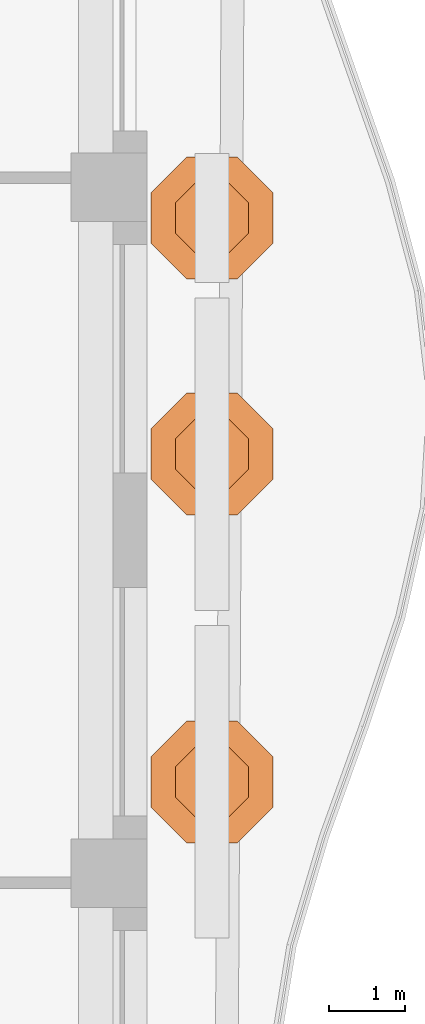
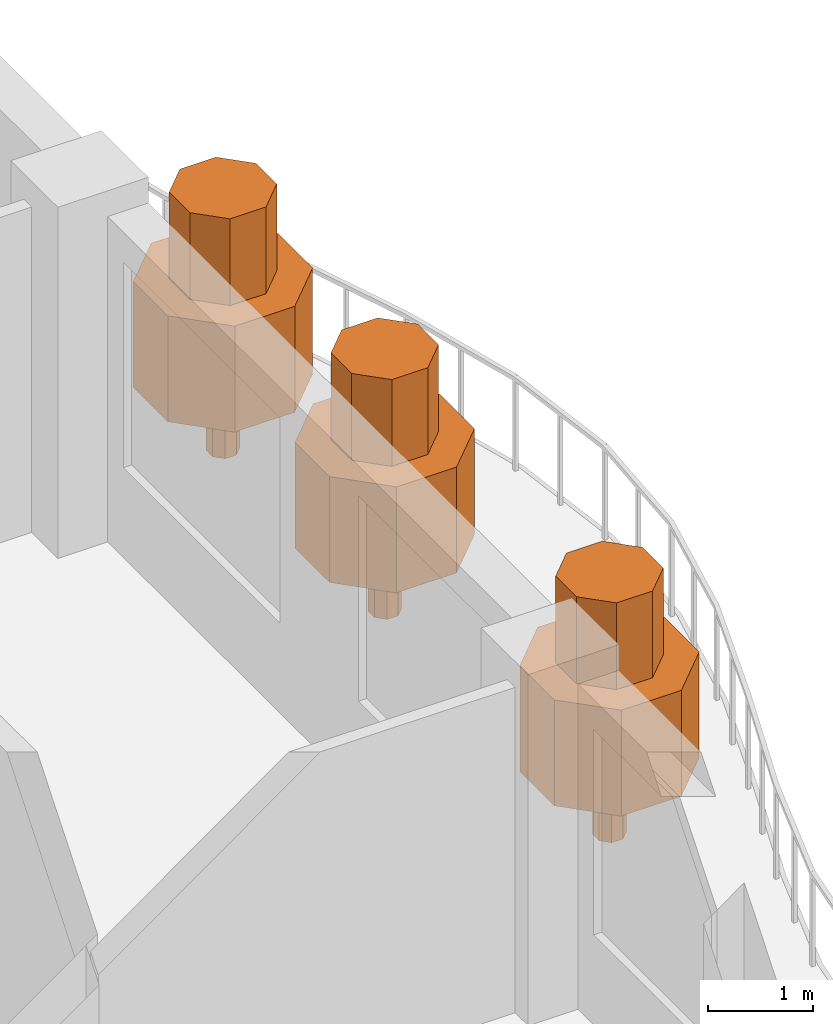
# One storey, part 14 of 14: 3 geographic elements.
"""IFC4 building model written with IfcOpenShell, lengths in metres."""

from ifc_helpers import new_model, si_unit, direction, frame, origin, place, context, subcontext, project, spatial, polyline, outline, extrude, material, type_object, element, save


model = new_model("IFC4")

# Units and contexts
model_context = context("Model", 3, precision=1e-05, world=origin(), true_north=direction((0.0, 1.0)))
body_context = subcontext(model_context, "Body", "Model", "MODEL_VIEW")
ifc_project = project(units=[si_unit("LENGTHUNIT", "METRE"), si_unit("AREAUNIT", "SQUARE_METRE"), si_unit("VOLUMEUNIT", "CUBIC_METRE"), si_unit("PLANEANGLEUNIT", "RADIAN"), si_unit("MASSUNIT", "GRAM", prefix="KILO")], contexts=[model_context])

# Site, building, storey
site_placement = place(None, origin())
site = spatial("IfcSite", under=ifc_project, at=site_placement, CompositionType="ELEMENT")
building_placement = place(site_placement, origin())
building = spatial("IfcBuilding", under=site, at=building_placement, Name="Cypress Arch Tower", CompositionType="ELEMENT")
storey_placement = place(building_placement, frame((0.0, 0.0, 280.300048828125)))
storey = spatial("IfcBuildingStorey", under=building, at=storey_placement, Name="L63", CompositionType="ELEMENT", Elevation=280.300048828125)

# Geographic elements
ifc_material = material(Name="Foliage and planting")
geographic_element_type = type_object("IfcGeographicElementType", Name="Balcony tree TR", PredefinedType="USERDEFINED", material=ifc_material)
for number, where, z_axis, x_axis, name in (
    (1, (25.60009765625, -3.300048828125, 0.599853515625), (0.0, 0.0, 1.0), (1.0, 0.0, 0.0), "Balcony tree L63-C17.1"),
    (2, (25.60009765625, 1.0, 0.599853515625), (0.0, 0.0, 1.0), (1.0, 0.0, 0.0), "Balcony tree L63-C17.2"),
    (3, (25.60009765625, 4.095703125, 0.599853515625), (0.0, 0.0, 1.0), (1.0, 0.0, 0.0), "Balcony tree L63-C17.3"),
):
    element("IfcGeographicElement", number, at=place(storey_placement, frame(where, z_axis=z_axis, x_axis=x_axis)), inside=storey, type_object=geographic_element_type, Name=name, ObjectType="TREE", PredefinedType="USERDEFINED", context=body_context, shape_type="SweptSolid", body=[
        extrude(outline(polyline([(0.14990234375, 0.06201171875), (0.06201171875, 0.14990234375), (-0.06201171875, 0.14990234375), (-0.14990234375, 0.06201171875), (-0.14990234375, -0.06201171875), (-0.06201171875, -0.14990234375), (0.06201171875, -0.14990234375), (0.14990234375, -0.06201171875), (0.14990234375, 0.06201171875)])), origin(), (0.0, 0.0, 1.0), 0.89990234375),
        extrude(outline(polyline([(0.800048828125, 0.331298828125), (0.331298828125, 0.800048828125), (-0.331298828125, 0.800048828125), (-0.800048828125, 0.331298828125), (-0.800048828125, -0.331298828125), (-0.331298828125, -0.800048828125), (0.331298828125, -0.800048828125), (0.800048828125, -0.331298828125), (0.800048828125, 0.331298828125)])), frame((0.0, 0.0, 0.800048828125)), (0.0, 0.0, 1.0), 1.237548828125),
        extrude(outline(polyline([(0.47998046875, 0.19873046875), (0.19873046875, 0.47998046875), (-0.19873046875, 0.47998046875), (-0.47998046875, 0.19873046875), (-0.47998046875, -0.19873046875), (-0.19873046875, -0.47998046875), (0.19873046875, -0.47998046875), (0.47998046875, -0.19873046875), (0.47998046875, 0.19873046875)])), frame((0.0, 0.0, 2.03759765625)), (0.0, 0.0, 1.0), 1.012451171875),
    ])

save(model, "model.ifc")
